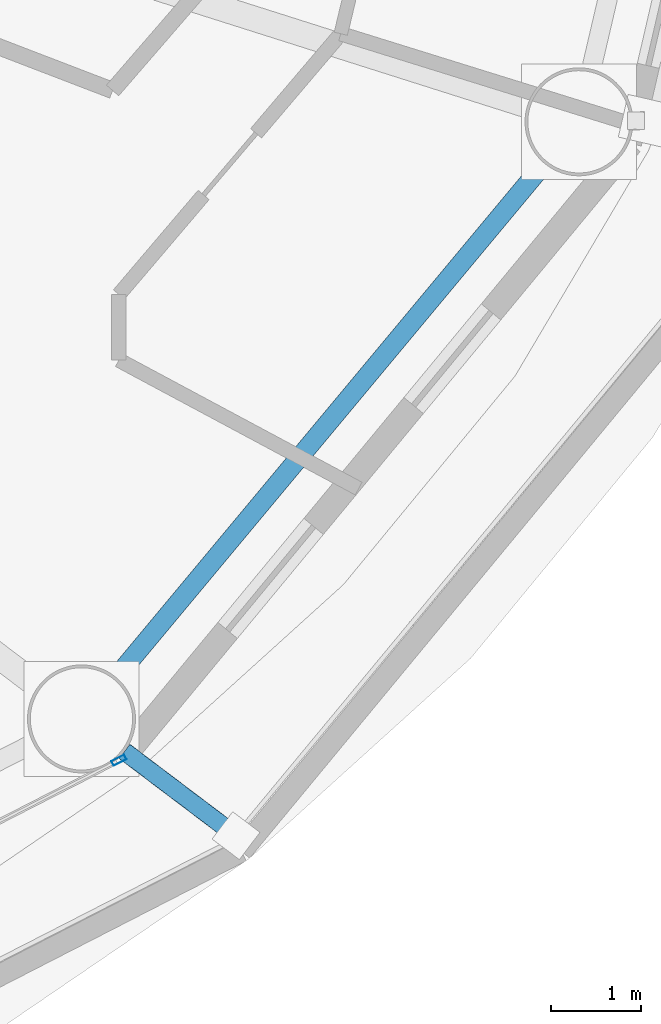
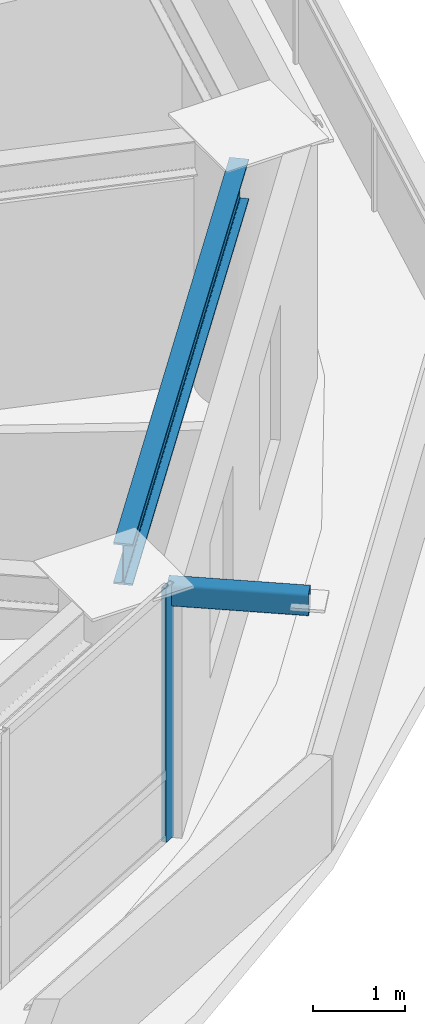
# One storey, part 7 of 27: 2 members, 1 beam, 1 element without a shape of its own.
"""IFC4 building model written with IfcOpenShell, lengths in metres."""

import ifcopenshell
import ifcopenshell.guid

model = None  # the IFC model being written
_history = None  # IfcOwnerHistory: only IFC2X3 demands one
_inside = {}  # id of a spatial element -> (the spatial element, [elements in it])
_under = {}  # id of a project, library or spatial element -> (it, [spatial elements below it])
_declared = {}  # id of a project -> (the project, [libraries it declares])
_typed = {}  # id of a type object -> (the type object, [elements of that type])
_made_of = {}  # id of a material, layer set ... -> (it, [elements and type objects made of it])


def new_model(schema):
    """Start an empty IFC model of exactly this schema.

    Asked for "IFC4X3", IfcOpenShell would pick the latest addendum, in which some entities
    have other attributes; the version numbers below select the first issue.
    IFC2X3 requires an IfcOwnerHistory on every rooted entity: one is made here for all.
    """
    global model, _history
    if schema == "IFC4X3":
        model = ifcopenshell.file(schema_version=(4, 3, 0, 0))
    else:
        model = ifcopenshell.file(schema=schema)
    _inside.clear()
    _under.clear()
    _declared.clear()
    _typed.clear()
    _made_of.clear()
    _history = None
    if model.schema == "IFC2X3":
        org = make("IfcOrganization", Name="unknown")
        user = make(
            "IfcPersonAndOrganization",
            ThePerson=make("IfcPerson", FamilyName="unknown"),
            TheOrganization=org,
        )
        app = make(
            "IfcApplication",
            ApplicationDeveloper=org,
            Version="unknown",
            ApplicationFullName="unknown",
            ApplicationIdentifier="unknown",
        )
        _history = make(
            "IfcOwnerHistory",
            OwningUser=user,
            OwningApplication=app,
            ChangeAction="ADDED",
            CreationDate=0,
        )
    return model


def make(cls, **values):
    """One entity of the class cls with the attributes given. An attribute that is None is left unset."""
    return model.create_entity(
        cls, **{name: value for name, value in values.items() if value is not None}
    )


def rooted(cls, **values):
    """An entity with a GlobalId (a new one), such as an element, a storey or a relation."""
    return make(cls, GlobalId=ifcopenshell.guid.new(), OwnerHistory=_history, **values)


def si_unit(unit_type, name, prefix=None):
    """IfcSIUnit, for example si_unit("LENGTHUNIT", "METRE", prefix="MILLI")."""
    return make("IfcSIUnit", UnitType=unit_type, Prefix=prefix, Name=name)


def assignment(units):
    """IfcUnitAssignment: the units of a project."""
    return None if units is None else make("IfcUnitAssignment", Units=units)


def point(xyz):
    """IfcCartesianPoint."""
    return None if xyz is None else make("IfcCartesianPoint", Coordinates=xyz)


def direction(xyz):
    """IfcDirection."""
    return None if xyz is None else make("IfcDirection", DirectionRatios=xyz)


def frame(location, z_axis=None, x_axis=None):
    """IfcAxis2Placement3D, a coordinate frame: its origin and axes. An axis left out is left unset."""
    return make(
        "IfcAxis2Placement3D",
        Location=point(location),
        Axis=direction(z_axis),
        RefDirection=direction(x_axis),
    )


def frame_2d(location, x_axis=None):
    """IfcAxis2Placement2D, a coordinate frame in the plane: its origin and x axis."""
    return make(
        "IfcAxis2Placement2D", Location=point(location), RefDirection=direction(x_axis)
    )


def origin():
    """The frame at (0, 0, 0) with its axes left unset."""
    return frame((0.0, 0.0, 0.0))


def origin_2d():
    """The frame at (0, 0) in the plane with its x axis left unset."""
    return frame_2d((0.0, 0.0))


def place(relative_to, where):
    """IfcLocalPlacement: puts the frame where relative to a parent placement (None: the world)."""
    return make(
        "IfcLocalPlacement", PlacementRelTo=relative_to, RelativePlacement=where
    )


def context(
    kind, dimensions, precision=None, world=None, true_north=None, identifier=None
):
    """IfcGeometricRepresentationContext, for example the 3D "Model" context."""
    return make(
        "IfcGeometricRepresentationContext",
        ContextIdentifier=identifier,
        ContextType=kind,
        CoordinateSpaceDimension=dimensions,
        Precision=precision,
        WorldCoordinateSystem=world,
        TrueNorth=true_north,
    )


def subcontext(parent, identifier, kind, view, scale=None):
    """IfcGeometricRepresentationSubContext, for example "Body" below "Model"."""
    return make(
        "IfcGeometricRepresentationSubContext",
        ContextIdentifier=identifier,
        ContextType=kind,
        ParentContext=parent,
        TargetScale=scale,
        TargetView=view,
    )


def project(units=None, contexts=None):
    """IfcProject with its units and contexts."""
    return rooted(
        "IfcProject",
        Name="project",
        RepresentationContexts=contexts,
        UnitsInContext=assignment(units),
    )


def spatial(cls, under=None, at=None, **own):
    """A site, building, storey or space (cls), placed at a placement, below another one or the project."""
    s = rooted(cls, ObjectPlacement=at, **own)
    if under is not None:
        _under.setdefault(under.id(), (under, []))[1].append(s)
    return s


def profile(cls, at=None, kind="AREA", **sizes):
    """A parametric profile (cls). Its sizes go by their IFC names, for example OverallWidth=200.0."""
    return make(cls, ProfileType=kind, Position=at, **sizes)


def hollow_rectangle(**sizes):
    """IfcRectangleHollowProfileDef."""
    return profile("IfcRectangleHollowProfileDef", **sizes)


def i_section(**sizes):
    """IfcIShapeProfileDef."""
    return profile("IfcIShapeProfileDef", **sizes)


def extrude(swept, where, along, depth):
    """IfcExtrudedAreaSolid: the profile swept, set in the frame where, extruded along a direction by depth."""
    return make(
        "IfcExtrudedAreaSolid",
        SweptArea=swept,
        Position=where,
        ExtrudedDirection=direction(along),
        Depth=depth,
    )


def shape(context_of_items, identifier, shape_type, items):
    """IfcShapeRepresentation: the items that make up one representation, for example the "Body"."""
    return make(
        "IfcShapeRepresentation",
        ContextOfItems=context_of_items,
        RepresentationIdentifier=identifier,
        RepresentationType=shape_type,
        Items=items,
    )


def material(Name=None, Category=None):
    """IfcMaterial."""
    return make("IfcMaterial", Name=Name, Category=Category)


def layer(
    of_material, thickness, ventilated=None, Name=None, Category=None, Priority=None
):
    """IfcMaterialLayer: one layer of a wall or slab, of a material (None: an air gap)."""
    return make(
        "IfcMaterialLayer",
        Material=of_material,
        LayerThickness=thickness,
        IsVentilated=ventilated,
        Name=Name,
        Category=Category,
        Priority=Priority,
    )


def layer_set(layers, Name=None):
    """IfcMaterialLayerSet."""
    return make("IfcMaterialLayerSet", MaterialLayers=layers, LayerSetName=Name)


def material_profile(
    of_material, cross_section, Name=None, Category=None, Priority=None
):
    """IfcMaterialProfile: a cross section and its material."""
    return make(
        "IfcMaterialProfile",
        Name=Name,
        Material=of_material,
        Profile=cross_section,
        Priority=Priority,
        Category=Category,
    )


def profile_set(profiles, Name=None, composite=None):
    """IfcMaterialProfileSet."""
    return make(
        "IfcMaterialProfileSet",
        Name=Name,
        MaterialProfiles=profiles,
        CompositeProfile=composite,
    )


def made_of(thing, what):
    """Note that an element or type object is made of a material, layer set ...; save() writes the relation."""
    if what is not None:
        _made_of.setdefault(what.id(), (what, []))[1].append(thing)
    return thing


def type_object(cls, material=None, **own):
    """A type object (cls), such as IfcWallType, which elements share."""
    return made_of(rooted(cls, **own), material)


def element(
    cls,
    number,
    at=None,
    inside=None,
    cuts=None,
    type_object=None,
    material=None,
    context=None,
    identifier="Body",
    shape_type=None,
    held_by="IfcProductDefinitionShape",
    body=None,
    shapes=None,
    **own,
):
    """One element of the class cls, such as IfcWall. Its Tag is "e" and its number.

    at: its placement. inside: the storey or other place that contains it. cuts: it is an
    opening in that element (IfcRelVoidsElement). A single representation is given by context,
    identifier, shape_type and body (its items); several are given by shapes. held_by: the class
    of the entity that holds the representations. save() writes the other relations.
    """
    e = rooted(cls, Tag="e%d" % number, ObjectPlacement=at, **own)
    if body is not None:
        shapes = [shape(context, identifier, shape_type, body)]
    if shapes is not None:
        e.Representation = make(held_by, Representations=shapes)
    if inside is not None:
        _inside.setdefault(inside.id(), (inside, []))[1].append(e)
    if cuts is not None:
        rooted(
            "IfcRelVoidsElement", RelatingBuildingElement=cuts, RelatedOpeningElement=e
        )
    if type_object is not None:
        _typed.setdefault(type_object.id(), (type_object, []))[1].append(e)
    return made_of(e, material)


def aggregate(whole, parts):
    """IfcRelAggregates: a whole, such as a stair, and the parts it consists of."""
    return rooted("IfcRelAggregates", RelatingObject=whole, RelatedObjects=parts)


def save(model, path):
    """Write the relations noted so far, then the file.

    IfcRelAggregates (storeys below a building ...), IfcRelContainedInSpatialStructure (elements
    in a storey), IfcRelDefinesByType, IfcRelAssociatesMaterial and IfcRelDeclares: one each for
    every whole, place, type object, material and project.
    """
    for whole, parts in _under.values():
        aggregate(whole, parts)
    for where, things in _inside.values():
        rooted(
            "IfcRelContainedInSpatialStructure",
            RelatedElements=things,
            RelatingStructure=where,
        )
    for kind, things in _typed.values():
        rooted("IfcRelDefinesByType", RelatedObjects=things, RelatingType=kind)
    for what, things in _made_of.values():
        rooted("IfcRelAssociatesMaterial", RelatedObjects=things, RelatingMaterial=what)
    for by, libraries in _declared.values():
        rooted("IfcRelDeclares", RelatingContext=by, RelatedDefinitions=libraries)
    model.write(path)


model = new_model("IFC4")

# Units and contexts
model_context = context("Model", 3, precision=1e-05, world=origin(), true_north=direction((0.0, 1.0)))
body_context = subcontext(model_context, "Body", "Model", "MODEL_VIEW")
ifc_project = project(units=[si_unit("LENGTHUNIT", "METRE"), si_unit("AREAUNIT", "SQUARE_METRE"), si_unit("VOLUMEUNIT", "CUBIC_METRE"), si_unit("PLANEANGLEUNIT", "RADIAN"), si_unit("MASSUNIT", "GRAM", prefix="KILO")], contexts=[model_context])

# Site, building, storey
site_placement = place(None, origin())
site = spatial("IfcSite", under=ifc_project, at=site_placement, CompositionType="ELEMENT")
building_placement = place(site_placement, origin())
building = spatial("IfcBuilding", under=site, at=building_placement, Name="Sarneth Arch Tower", CompositionType="ELEMENT")
storey_placement = place(building_placement, frame((0.0, 0.0, 150.60009765625)))
storey = spatial("IfcBuildingStorey", under=building, at=storey_placement, Name="L37", CompositionType="ELEMENT", Elevation=150.60009765625)

# Beam
ifc_material_1 = material(Name="Steel S355", Category="steel")
ifc_material_profile_1 = material_profile(ifc_material_1, i_section(OverallWidth=0.214111328125, OverallDepth=0.549072265625, WebThickness=0.0146484375, FlangeThickness=0.023681640625, FilletRadius=0.01806640625, at=origin_2d()), Name="W530x138")
ifc_profile_set_1 = profile_set([ifc_material_profile_1], Name="Steel S355")
beam_type = type_object("IfcBeamType", Name="BM-RAD-530A", PredefinedType="BEAM", material=ifc_profile_set_1)
beam_placement = place(storey_placement, frame((67.517822265625, 28.00048828125, 3.10546875), z_axis=(0.640161793626, 0.768240117399, 0.0), x_axis=(-0.768240117399, 0.640161793626, 0.0)))
element("IfcBeam", 1, at=beam_placement, inside=storey, type_object=beam_type, Name="L37 Perimeter spandrel beam 15", PredefinedType="BEAM", context=body_context, shape_type="SweptSolid", body=[
    extrude(i_section(OverallWidth=0.214111328125, OverallDepth=0.549072265625, WebThickness=0.0146484375, FlangeThickness=0.023681640625, FilletRadius=0.01806640625, at=origin_2d()), origin(), (0.0, 0.0, 1.0), 7.43603515625),
])

# Curtain wall, member
ifc_material_2 = material(Name="Anodised aluminium Type AA25 and solar-control low-e laminated IGU", Category="aluminium")
ifc_layer = layer(ifc_material_2, 0.169921875)
ifc_layer_set = layer_set([ifc_layer], Name="Anodised aluminium Type AA25 and solar-control low-e laminated IGU")
curtain_wall_type = type_object("IfcCurtainWallType", Name="CW-RES-MID", PredefinedType="NOTDEFINED", material=ifc_layer_set)
curtain_wall_placement = place(storey_placement, origin())
curtain_wall = element("IfcCurtainWall", 2, at=curtain_wall_placement, inside=storey, type_object=curtain_wall_type, Name="L37 Unitised curtain wall facet 14", PredefinedType="NOTDEFINED")
ifc_material_3 = material(Name="Anodised Aluminium 6063-T6", Category="aluminium")
ifc_material_profile_2 = material_profile(ifc_material_3, hollow_rectangle(XDim=0.06005859375, YDim=0.159912109375, WallThickness=0.00390625, at=origin_2d()), Name="AL-MULL-160x60x4")
ifc_profile_set_2 = profile_set([ifc_material_profile_2], Name="Anodised Aluminium 6063-T6")
member_type_1 = type_object("IfcMemberType", Name="CW-MULLION", PredefinedType="MULLION", material=ifc_profile_set_2)
member_1_placement = place(storey_placement, frame((67.549560546875, 27.08056640625, 0.0), z_axis=(0.0, 0.0, 1.0), x_axis=(-0.456208470329, 0.88987293003, 0.0)))
member_1 = element("IfcMember", 3, at=member_1_placement, type_object=member_type_1, Name="CW-SYS-5 mullion 4", PredefinedType="MULLION", context=body_context, shape_type="SweptSolid", body=[
    extrude(hollow_rectangle(XDim=0.06005859375, YDim=0.159912109375, WallThickness=0.00390625, at=origin_2d()), origin(), (0.0, 0.0, 1.0), 3.3798828125),
])
aggregate(curtain_wall, [member_1])

# Member
ifc_material_4 = material(Name="Steel S355", Category="steel")
ifc_material_profile_3 = material_profile(ifc_material_4, hollow_rectangle(XDim=0.199951171875, YDim=0.300048828125, WallThickness=0.012451171875, InnerFilletRadius=0.018798828125, OuterFilletRadius=0.03125, at=origin_2d()), Name="RHS300x200x12.5")
ifc_profile_set_3 = profile_set([ifc_material_profile_3], Name="Steel S355")
member_type_2 = type_object("IfcMemberType", Name="MEM-CANT-STRUT", PredefinedType="STRUT", material=ifc_profile_set_3)
member_2_placement = place(storey_placement, frame((67.612548828125, 27.177978515625, 3.219970703125), z_axis=(0.797786634456, -0.60293986921, 0.0), x_axis=(0.60293986921, 0.797786634456, 0.0)))
element("IfcMember", 4, at=member_2_placement, inside=storey, type_object=member_type_2, Name="L37 Balcony cantilever bracket 15", PredefinedType="STRUT", context=body_context, shape_type="SweptSolid", body=[
    extrude(hollow_rectangle(XDim=0.199951171875, YDim=0.300048828125, WallThickness=0.012451171875, InnerFilletRadius=0.018798828125, OuterFilletRadius=0.03125, at=origin_2d()), origin(), (0.0, 0.0, 1.0), 1.552490234375),
])

save(model, "model.ifc")
